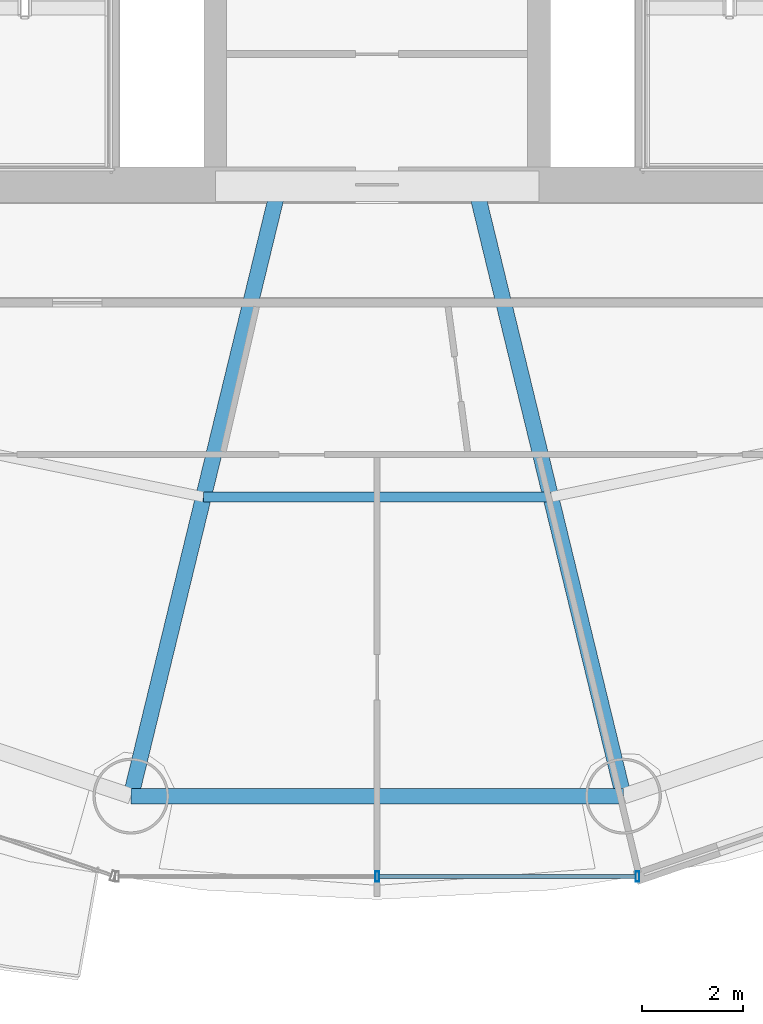
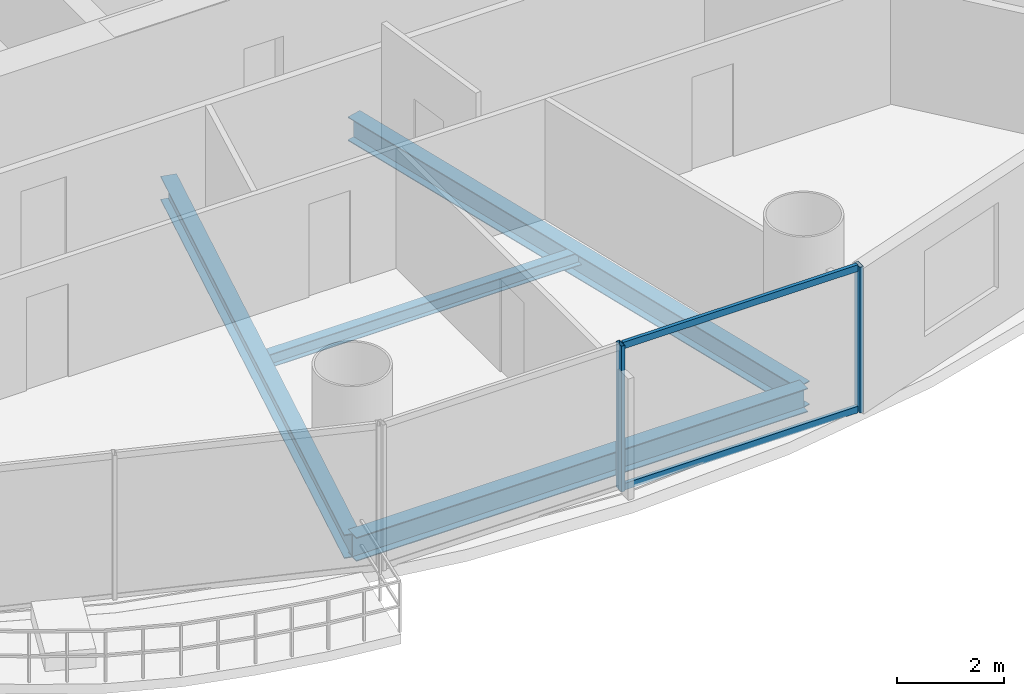
# One storey, part 5 of 29: 4 beams, 4 members, 1 element without a shape of its own.
"""IFC4 building model written with IfcOpenShell, lengths in metres."""

from ifc_helpers import new_model, si_unit, direction, frame, origin, origin_2d, place, context, subcontext, project, spatial, hollow_rectangle, i_section, extrude, source, transform, mapped, material, material_profile, profile_set, type_object, element, aggregate, save


model = new_model("IFC4")

# Units and contexts
model_context = context("Model", 3, precision=1e-05, world=origin(), true_north=direction((-0.2419218956, 0.970295726276)))
body_context = subcontext(model_context, "Body", "Model", "MODEL_VIEW")
ifc_project = project(units=[si_unit("LENGTHUNIT", "METRE"), si_unit("AREAUNIT", "SQUARE_METRE"), si_unit("VOLUMEUNIT", "CUBIC_METRE"), si_unit("PLANEANGLEUNIT", "RADIAN"), si_unit("MASSUNIT", "GRAM", prefix="KILO")], contexts=[model_context])

# Site, building, storey
site_placement = place(None, origin())
site = spatial("IfcSite", under=ifc_project, at=site_placement, CompositionType="ELEMENT")
building_placement = place(site_placement, origin())
building = spatial("IfcBuilding", under=site, at=building_placement, Name="Cobrevalo Terracotta Tower", CompositionType="ELEMENT")
storey_placement = place(building_placement, frame((0.0, 0.0, 123.0)))
storey = spatial("IfcBuildingStorey", under=building, at=storey_placement, Name="L32", CompositionType="ELEMENT", Elevation=123.0)

# Beams
ifc_material_1 = material(Name="Steel S355", Category="steel")
ifc_material_profile_1 = material_profile(ifc_material_1, i_section(OverallWidth=0.31201171875, OverallDepth=0.54296875, WebThickness=0.0126953125, FlangeThickness=0.020263671875, at=origin_2d()), Name="W 530x150")
ifc_profile_set_1 = profile_set([ifc_material_profile_1], Name="Steel S355")
beam_type_1 = type_object("IfcBeamType", Name="Structural Beam W 530x150 (Steel S355)", PredefinedType="BEAM", material=ifc_profile_set_1)
for number, where, z_axis, x_axis, name in (
    (1, (33.132568359375, 6.742919921875, -0.54638671875), (0.235827379387, 0.971794961467, 0.0), (-0.971794961467, 0.235827379387, 0.0), "L32 radial floor girder 12"),
    (2, (42.867431640625, 6.742919921875, -0.54638671875), (-0.235827379387, 0.971794961467, 0.0), (-0.971794961467, -0.235827379387, 0.0), "L32 radial floor girder 13"),
):
    element("IfcBeam", number, at=place(storey_placement, frame(where, z_axis=z_axis, x_axis=x_axis)), inside=storey, type_object=beam_type_1, Name=name, PredefinedType="BEAM", context=body_context, shape_type="SweptSolid", body=[
        extrude(i_section(OverallWidth=0.31201171875, OverallDepth=0.54296875, WebThickness=0.0126953125, FlangeThickness=0.020263671875, at=origin_2d()), origin(), (0.0, 0.0, 1.0), 12.17041015625),
    ])
ifc_material_profile_2 = material_profile(ifc_material_1, i_section(OverallWidth=0.2041015625, OverallDepth=0.305908203125, WebThickness=0.008544921875, FlangeThickness=0.0146484375, at=origin_2d()), Name="W 310x67")
ifc_profile_set_2 = profile_set([ifc_material_profile_2], Name="Steel S355")
beam_type_2 = type_object("IfcBeamType", Name="Structural Joist W 310x67 (Steel S355)", PredefinedType="JOIST", material=ifc_profile_set_2)
beam_1_placement = place(storey_placement, frame((34.567626953125, 12.656494140625, -0.427978515625), z_axis=(1.0, 0.0, 0.0), x_axis=(0.0, 1.0, 0.0)))
element("IfcBeam", 3, at=beam_1_placement, inside=storey, type_object=beam_type_2, Name="L32 circumferential secondary floor joist 12", PredefinedType="JOIST", context=body_context, shape_type="SweptSolid", body=[
    extrude(i_section(OverallWidth=0.2041015625, OverallDepth=0.305908203125, WebThickness=0.008544921875, FlangeThickness=0.0146484375, at=origin_2d()), origin(), (0.0, 0.0, 1.0), 6.86474609375),
])
ifc_material_profile_3 = material_profile(ifc_material_1, i_section(OverallWidth=0.31201171875, OverallDepth=0.54296875, WebThickness=0.0126953125, FlangeThickness=0.020263671875, at=origin_2d()), Name="W 530x150")
ifc_profile_set_3 = profile_set([ifc_material_profile_3], Name="Steel S355")
beam_type_3 = type_object("IfcBeamType", Name="Structural Spandrel W 530x150 (Steel S355)", PredefinedType="SPANDREL", material=ifc_profile_set_3)
beam_2_placement = place(storey_placement, frame((33.132568359375, 6.742919921875, -0.54638671875), z_axis=(1.0, 0.0, 0.0), x_axis=(0.0, 1.0, 0.0)))
element("IfcBeam", 4, at=beam_2_placement, inside=storey, type_object=beam_type_3, Name="L32 perimeter ring spandrel 12", PredefinedType="SPANDREL", context=body_context, shape_type="SweptSolid", body=[
    extrude(i_section(OverallWidth=0.31201171875, OverallDepth=0.54296875, WebThickness=0.0126953125, FlangeThickness=0.020263671875, at=origin_2d()), origin(), (0.0, 0.0, 1.0), 9.73486328125),
])

# Curtain wall, members
ifc_material_2 = material(Name="Anodized aluminium", Category="aluminium")
curtain_wall_type = type_object("IfcCurtainWallType", Name="Lower-tower unitised acoustic low-E curtain wall CW-U1", PredefinedType="NOTDEFINED", material=ifc_material_2)
curtain_wall_placement = place(storey_placement, origin())
curtain_wall = element("IfcCurtainWall", 5, at=curtain_wall_placement, inside=storey, type_object=curtain_wall_type, Name="L32 curtain wall CW-L32-S12", PredefinedType="NOTDEFINED")
ifc_material_profile_4 = material_profile(ifc_material_2, hollow_rectangle(XDim=0.074951171875, YDim=0.199951171875, WallThickness=0.0048828125, at=origin_2d()), Name="CWM 75x200")
ifc_profile_set_4 = profile_set([ifc_material_profile_4], Name="Anodized aluminium")
member_type_1 = type_object("IfcMemberType", Name="Lower/mid tower unitised mullion 75x200", PredefinedType="MULLION", material=ifc_profile_set_4)
shared_shape_1 = source(origin(), body_context, "Body", "SweptSolid", [
    extrude(hollow_rectangle(XDim=0.074951171875, YDim=0.199951171875, WallThickness=0.0048828125, at=origin_2d()), origin(), (0.0, 0.0, 1.0), 3.324951171875),
])
member_1_placement = place(storey_placement, frame((38.0, 5.154052734375, 0.0), z_axis=(0.0, 0.0, 1.0), x_axis=(1.0, 0.0, 0.0)))
member_1 = element("IfcMember", 6, at=member_1_placement, type_object=member_type_1, Name="CW-L32-S12 vertical mullion 02", PredefinedType="MULLION", context=body_context, shape_type="MappedRepresentation", body=[
    mapped(shared_shape_1, transform((0.0, 0.0, 0.0), scale=1.0)),
])
member_2_placement = place(storey_placement, frame((43.1435546875, 5.154052734375, 0.0), z_axis=(0.0, 0.0, 1.0), x_axis=(1.0, 0.0, 0.0)))
member_2 = element("IfcMember", 7, at=member_2_placement, type_object=member_type_1, Name="CW-L32-S12 vertical mullion 03", PredefinedType="MULLION", context=body_context, shape_type="MappedRepresentation", body=[
    mapped(shared_shape_1, transform((0.0, 0.0, 0.0), scale=1.0)),
])
ifc_material_profile_5 = material_profile(ifc_material_2, hollow_rectangle(XDim=0.074951171875, YDim=0.14990234375, WallThickness=0.00439453125, at=origin_2d()), Name="CWT 75x150")
ifc_profile_set_5 = profile_set([ifc_material_profile_5], Name="Anodized aluminium")
member_type_2 = type_object("IfcMemberType", Name="Tower unitised aluminium transom 75x150", PredefinedType="USERDEFINED", material=ifc_profile_set_5)
shared_shape_2 = source(origin(), body_context, "Body", "SweptSolid", [
    extrude(hollow_rectangle(XDim=0.074951171875, YDim=0.14990234375, WallThickness=0.00439453125, at=origin_2d()), origin(), (0.0, 0.0, 1.0), 5.0634765625),
])
member_3_placement = place(storey_placement, frame((38.0400390625, 5.154052734375, 0.050048828125), z_axis=(1.0, 0.0, 0.0), x_axis=(0.0, 1.0, 0.0)))
member_3 = element("IfcMember", 8, at=member_3_placement, type_object=member_type_2, Name="CW-L32-S12 transom B02-T1", ObjectType="TRANSOM", PredefinedType="USERDEFINED", context=body_context, shape_type="MappedRepresentation", body=[
    mapped(shared_shape_2, transform((0.0, 0.0, 0.0), scale=1.0)),
])
member_4_placement = place(storey_placement, frame((38.0400390625, 5.154052734375, 3.27490234375), z_axis=(1.0, 0.0, 0.0), x_axis=(0.0, 1.0, 0.0)))
member_4 = element("IfcMember", 9, at=member_4_placement, type_object=member_type_2, Name="CW-L32-S12 transom B02-T2", ObjectType="TRANSOM", PredefinedType="USERDEFINED", context=body_context, shape_type="MappedRepresentation", body=[
    mapped(shared_shape_2, transform((0.0, 0.0, 0.0), scale=1.0)),
])
aggregate(curtain_wall, [member_1, member_2, member_3, member_4])

save(model, "model.ifc")
